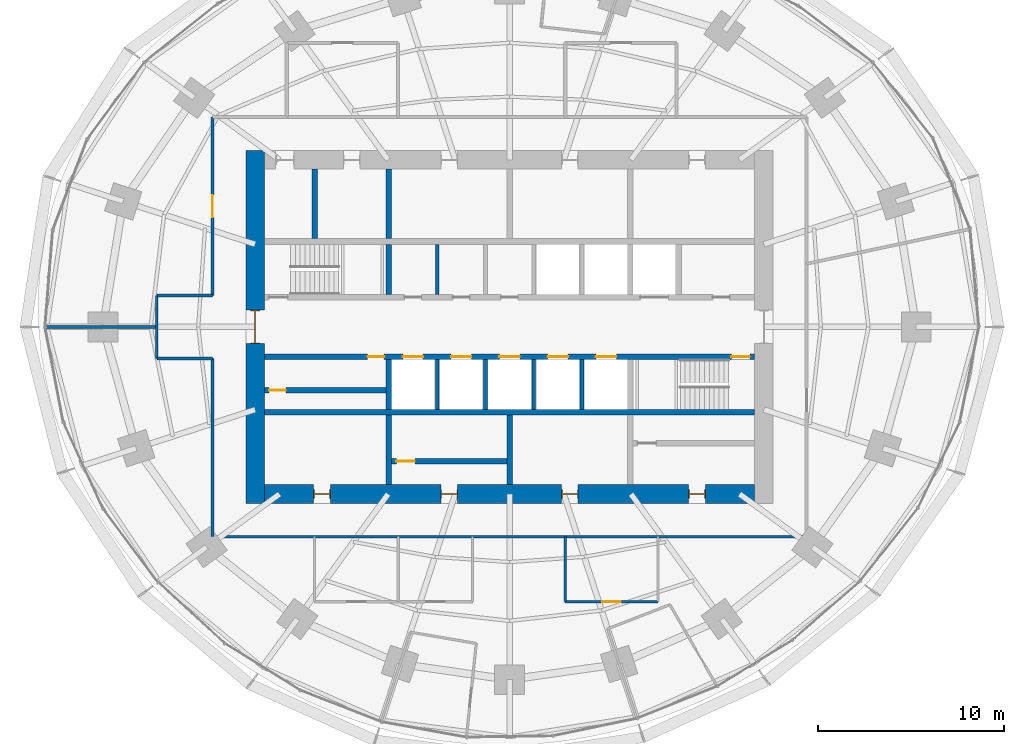
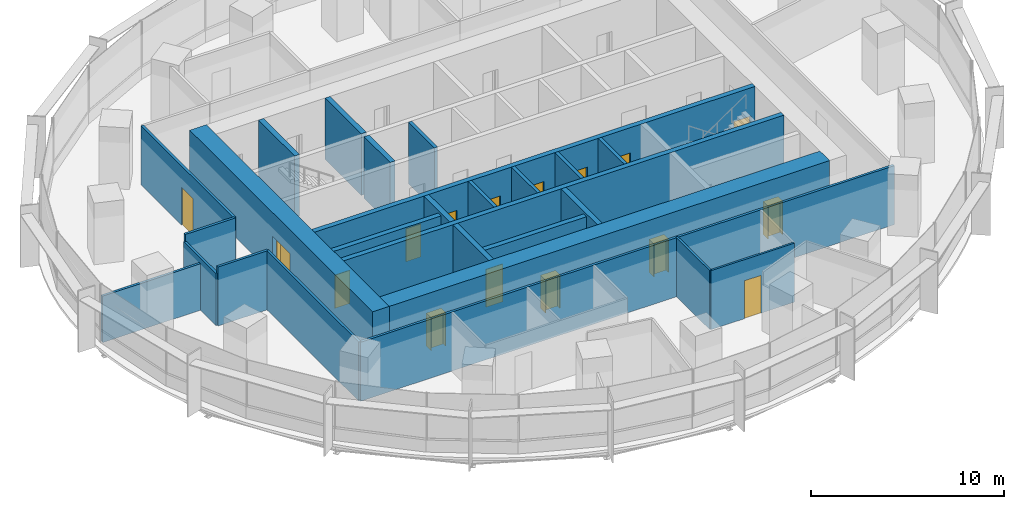
# One storey, part 10 of 14: 26 walls, 16 doors, 16 openings.
"""IFC4 building model written with IfcOpenShell, lengths in metres."""

from ifc_helpers import new_model, si_unit, direction, frame, frame_2d, origin, place, context, subcontext, project, spatial, rectangle, extrude, material, layer, layer_set, type_object, element, fill, save


model = new_model("IFC4")

# Units and contexts
model_context = context("Model", 3, precision=1e-05, world=origin(), true_north=direction((0.0, 1.0)))
body_context = subcontext(model_context, "Body", "Model", "MODEL_VIEW")
ifc_project = project(units=[si_unit("LENGTHUNIT", "METRE"), si_unit("AREAUNIT", "SQUARE_METRE"), si_unit("VOLUMEUNIT", "CUBIC_METRE"), si_unit("PLANEANGLEUNIT", "RADIAN"), si_unit("MASSUNIT", "GRAM", prefix="KILO")], contexts=[model_context])

# Site, building, storey
site_placement = place(None, origin())
site = spatial("IfcSite", under=ifc_project, at=site_placement, CompositionType="ELEMENT")
building_placement = place(site_placement, origin())
building = spatial("IfcBuilding", under=site, at=building_placement, Name="Marramba Exchange Tower", CompositionType="ELEMENT")
storey_placement = place(building_placement, frame((0.0, 0.0, 111.89990234375)))
storey = spatial("IfcBuildingStorey", under=building, at=storey_placement, Name="L26", CompositionType="ELEMENT", Elevation=111.89990234375)

# Walls
ifc_material_1 = material(Name="Concrete N50", Category="concrete")
ifc_layer_1 = layer(ifc_material_1, 0.199951171875)
ifc_layer_set_1 = layer_set([ifc_layer_1], Name="Core shaft wall 200")
wall_type_1 = type_object("IfcWallType", Name="Core shaft wall 200", PredefinedType="SHEAR", material=ifc_layer_set_1)
for number, where, z_axis, x_axis, name in (
    (1, (-3.89990234375, 1.75, 0.0), (0.0, 0.0, 1.0), (0.0, 1.0, 0.0), "Core wall SHN1 L26"),
    (2, (-3.89990234375, -1.75, 0.0), (0.0, 0.0, 1.0), (0.0, -1.0, 0.0), "Core wall SHS1 L26"),
    (3, (-1.300048828125, -1.75, 0.0), (0.0, 0.0, 1.0), (0.0, -1.0, 0.0), "Core wall SHS2 L26"),
    (4, (1.300048828125, -1.75, 0.0), (0.0, 0.0, 1.0), (0.0, -1.0, 0.0), "Core wall SHS3 L26"),
    (5, (3.89990234375, -1.75, 0.0), (0.0, 0.0, 1.0), (0.0, -1.0, 0.0), "Core wall SHS4 L26"),
):
    element("IfcWall", number, at=place(storey_placement, frame(where, z_axis=z_axis, x_axis=x_axis)), inside=storey, type_object=wall_type_1, Name=name, PredefinedType="SHEAR", context=body_context, shape_type="SweptSolid", body=[
        extrude(rectangle(XDim=2.699951171875, YDim=0.199951171875, at=frame_2d((1.35009765625, 0.0))), origin(), (0.0, 0.0, 1.0), 3.900146484375),
    ])

# Wall, openings, doors
ifc_layer_2 = layer(ifc_material_1, 1.0)
ifc_layer_set_2 = layer_set([ifc_layer_2], Name="Core wall 1000")
wall_type_2 = type_object("IfcWallType", Name="Core wall 1000", PredefinedType="SHEAR", material=ifc_layer_set_2)
wall_1_placement = place(storey_placement, frame((-13.199951171875, -9.0, 0.0), z_axis=(0.0, 0.0, 1.0), x_axis=(1.0, 0.0, 0.0)))
wall_1 = element("IfcWall", 6, at=wall_1_placement, inside=storey, type_object=wall_type_2, Name="Core wall S L26", PredefinedType="SHEAR", context=body_context, shape_type="SweptSolid", body=[
    extrude(rectangle(XDim=26.39990234375, YDim=1.0, at=frame_2d((13.199951171875, 0.0))), origin(), (0.0, 0.0, 1.0), 3.900146484375),
])
opening_1_placement = place(wall_1_placement, frame((2.64990234375, 0.0, 0.0)))
opening_1 = element("IfcOpeningElement", 7, at=opening_1_placement, cuts=wall_1, Name="Opening D5", PredefinedType="OPENING", context=body_context, shape_type="SweptSolid", body=[
    extrude(rectangle(XDim=0.89990234375, YDim=2.10009765625, at=frame_2d((0.449951171875, 1.050048828125))), frame((0.0, 0.510009765625, 0.0), z_axis=(0.0, -1.0, 0.0), x_axis=(1.0, 0.0, 0.0)), (0.0, 0.0, 1.0), 1.02001953125),
])
opening_2_placement = place(wall_1_placement, frame((9.5, 0.0, 0.0)))
opening_2 = element("IfcOpeningElement", 8, at=opening_2_placement, cuts=wall_1, Name="Opening D5", PredefinedType="OPENING", context=body_context, shape_type="SweptSolid", body=[
    extrude(rectangle(XDim=0.89990234375, YDim=2.10009765625, at=frame_2d((0.449951171875, 1.050048828125))), frame((0.0, 0.510009765625, 0.0), z_axis=(0.0, -1.0, 0.0), x_axis=(1.0, 0.0, 0.0)), (0.0, 0.0, 1.0), 1.02001953125),
])
opening_3_placement = place(wall_1_placement, frame((16.0, 0.0, 0.0)))
opening_3 = element("IfcOpeningElement", 9, at=opening_3_placement, cuts=wall_1, Name="Opening D5", PredefinedType="OPENING", context=body_context, shape_type="SweptSolid", body=[
    extrude(rectangle(XDim=0.89990234375, YDim=2.10009765625, at=frame_2d((0.449951171875, 1.050048828125))), frame((0.0, 0.510009765625, 0.0), z_axis=(0.0, -1.0, 0.0), x_axis=(1.0, 0.0, 0.0)), (0.0, 0.0, 1.0), 1.02001953125),
])
opening_4_placement = place(wall_1_placement, frame((22.85009765625, 0.0, 0.0)))
opening_4 = element("IfcOpeningElement", 10, at=opening_4_placement, cuts=wall_1, Name="Opening D5", PredefinedType="OPENING", context=body_context, shape_type="SweptSolid", body=[
    extrude(rectangle(XDim=0.89990234375, YDim=2.10009765625, at=frame_2d((0.449951171875, 1.050048828125))), frame((0.0, 0.510009765625, 0.0), z_axis=(0.0, -1.0, 0.0), x_axis=(1.0, 0.0, 0.0)), (0.0, 0.0, 1.0), 1.02001953125),
])
ifc_material_2 = material(Name="Steel-framed door", Category="steel")
door_type_1 = type_object("IfcDoorType", Name="Service door 900x2100", OperationType="SINGLE_SWING_LEFT", PredefinedType="DOOR", material=ifc_material_2)
door_1_placement = place(opening_1_placement, origin())
door_1 = element("IfcDoor", 11, at=door_1_placement, inside=storey, type_object=door_type_1, Name="D5 ahu L26", OperationType="SINGLE_SWING_LEFT", OverallHeight=2.10009765625, OverallWidth=0.89990234375, PredefinedType="DOOR", context=body_context, shape_type="SweptSolid", body=[
    extrude(rectangle(XDim=0.81982421875, YDim=2.06005859375, at=frame_2d((0.449951171875, 1.030029296875))), frame((0.0, 0.02490234375, 0.0), z_axis=(0.0, -1.0, 0.0), x_axis=(1.0, 0.0, 0.0)), (0.0, 0.0, 1.0), 0.050048828125),
    extrude(rectangle(XDim=0.04, YDim=2.10009765625, at=frame_2d((0.02001953125, 1.050048828125))), frame((0.0, 0.25, 0.0), z_axis=(0.0, -1.0, 0.0), x_axis=(1.0, 0.0, 0.0)), (0.0, 0.0, 1.0), 0.5),
    extrude(rectangle(XDim=0.04, YDim=2.10009765625, at=frame_2d((0.8798828125, 1.050048828125))), frame((0.0, 0.25, 0.0), z_axis=(0.0, -1.0, 0.0), x_axis=(1.0, 0.0, 0.0)), (0.0, 0.0, 1.0), 0.5),
    extrude(rectangle(XDim=0.81982421875, YDim=0.04, at=frame_2d((0.449951171875, 2.080078125))), frame((0.0, 0.25, 0.0), z_axis=(0.0, -1.0, 0.0), x_axis=(1.0, 0.0, 0.0)), (0.0, 0.0, 1.0), 0.5),
])
fill(opening_1, door_1)
door_2_placement = place(opening_2_placement, origin())
door_2 = element("IfcDoor", 12, at=door_2_placement, inside=storey, type_object=door_type_1, Name="D5 store L26", OperationType="SINGLE_SWING_RIGHT", OverallHeight=2.10009765625, OverallWidth=0.89990234375, PredefinedType="DOOR", context=body_context, shape_type="SweptSolid", body=[
    extrude(rectangle(XDim=0.81982421875, YDim=2.06005859375, at=frame_2d((0.449951171875, 1.030029296875))), frame((0.0, 0.02490234375, 0.0), z_axis=(0.0, -1.0, 0.0), x_axis=(1.0, 0.0, 0.0)), (0.0, 0.0, 1.0), 0.050048828125),
    extrude(rectangle(XDim=0.04, YDim=2.10009765625, at=frame_2d((0.02001953125, 1.050048828125))), frame((0.0, 0.25, 0.0), z_axis=(0.0, -1.0, 0.0), x_axis=(1.0, 0.0, 0.0)), (0.0, 0.0, 1.0), 0.5),
    extrude(rectangle(XDim=0.04, YDim=2.10009765625, at=frame_2d((0.8798828125, 1.050048828125))), frame((0.0, 0.25, 0.0), z_axis=(0.0, -1.0, 0.0), x_axis=(1.0, 0.0, 0.0)), (0.0, 0.0, 1.0), 0.5),
    extrude(rectangle(XDim=0.81982421875, YDim=0.04, at=frame_2d((0.449951171875, 2.080078125))), frame((0.0, 0.25, 0.0), z_axis=(0.0, -1.0, 0.0), x_axis=(1.0, 0.0, 0.0)), (0.0, 0.0, 1.0), 0.5),
])
fill(opening_2, door_2)
door_3_placement = place(opening_3_placement, origin())
door_3 = element("IfcDoor", 13, at=door_3_placement, inside=storey, type_object=door_type_1, Name="D5 switch L26", OperationType="SINGLE_SWING_RIGHT", OverallHeight=2.10009765625, OverallWidth=0.89990234375, PredefinedType="DOOR", context=body_context, shape_type="SweptSolid", body=[
    extrude(rectangle(XDim=0.81982421875, YDim=2.06005859375, at=frame_2d((0.449951171875, 1.030029296875))), frame((0.0, 0.02490234375, 0.0), z_axis=(0.0, -1.0, 0.0), x_axis=(1.0, 0.0, 0.0)), (0.0, 0.0, 1.0), 0.050048828125),
    extrude(rectangle(XDim=0.04, YDim=2.10009765625, at=frame_2d((0.02001953125, 1.050048828125))), frame((0.0, 0.25, 0.0), z_axis=(0.0, -1.0, 0.0), x_axis=(1.0, 0.0, 0.0)), (0.0, 0.0, 1.0), 0.5),
    extrude(rectangle(XDim=0.04, YDim=2.10009765625, at=frame_2d((0.8798828125, 1.050048828125))), frame((0.0, 0.25, 0.0), z_axis=(0.0, -1.0, 0.0), x_axis=(1.0, 0.0, 0.0)), (0.0, 0.0, 1.0), 0.5),
    extrude(rectangle(XDim=0.81982421875, YDim=0.04, at=frame_2d((0.449951171875, 2.080078125))), frame((0.0, 0.25, 0.0), z_axis=(0.0, -1.0, 0.0), x_axis=(1.0, 0.0, 0.0)), (0.0, 0.0, 1.0), 0.5),
])
fill(opening_3, door_3)
door_4_placement = place(opening_4_placement, origin())
door_4 = element("IfcDoor", 14, at=door_4_placement, inside=storey, type_object=door_type_1, Name="D5 cstore L26", OperationType="SINGLE_SWING_RIGHT", OverallHeight=2.10009765625, OverallWidth=0.89990234375, PredefinedType="DOOR", context=body_context, shape_type="SweptSolid", body=[
    extrude(rectangle(XDim=0.81982421875, YDim=2.06005859375, at=frame_2d((0.449951171875, 1.030029296875))), frame((0.0, 0.02490234375, 0.0), z_axis=(0.0, -1.0, 0.0), x_axis=(1.0, 0.0, 0.0)), (0.0, 0.0, 1.0), 0.050048828125),
    extrude(rectangle(XDim=0.04, YDim=2.10009765625, at=frame_2d((0.02001953125, 1.050048828125))), frame((0.0, 0.25, 0.0), z_axis=(0.0, -1.0, 0.0), x_axis=(1.0, 0.0, 0.0)), (0.0, 0.0, 1.0), 0.5),
    extrude(rectangle(XDim=0.04, YDim=2.10009765625, at=frame_2d((0.8798828125, 1.050048828125))), frame((0.0, 0.25, 0.0), z_axis=(0.0, -1.0, 0.0), x_axis=(1.0, 0.0, 0.0)), (0.0, 0.0, 1.0), 0.5),
    extrude(rectangle(XDim=0.81982421875, YDim=0.04, at=frame_2d((0.449951171875, 2.080078125))), frame((0.0, 0.25, 0.0), z_axis=(0.0, -1.0, 0.0), x_axis=(1.0, 0.0, 0.0)), (0.0, 0.0, 1.0), 0.5),
])
fill(opening_4, door_4)

# Wall, opening, door
wall_2_placement = place(storey_placement, frame((-13.699951171875, 9.5, 0.0), z_axis=(0.0, 0.0, 1.0), x_axis=(0.0, -1.0, 0.0)))
wall_2 = element("IfcWall", 15, at=wall_2_placement, inside=storey, type_object=wall_type_2, Name="Core wall W L26", PredefinedType="SHEAR", context=body_context, shape_type="SweptSolid", body=[
    extrude(rectangle(XDim=19.0, YDim=1.0, at=frame_2d((9.5, 0.0))), origin(), (0.0, 0.0, 1.0), 3.900146484375),
])
opening_5_placement = place(wall_2_placement, frame((8.60009765625, 0.0, 0.0)))
opening_5 = element("IfcOpeningElement", 16, at=opening_5_placement, cuts=wall_2, Name="Opening D1", PredefinedType="OPENING", context=body_context, shape_type="SweptSolid", body=[
    extrude(rectangle(XDim=1.800048828125, YDim=2.39990234375, at=frame_2d((0.89990234375, 1.199951171875))), frame((0.0, 0.510009765625, 0.0), z_axis=(0.0, -1.0, 0.0), x_axis=(1.0, 0.0, 0.0)), (0.0, 0.0, 1.0), 1.02001953125),
])
door_type_2 = type_object("IfcDoorType", Name="Lobby exit door 1800x2400", OperationType="DOUBLE_DOOR_SINGLE_SWING", PredefinedType="DOOR", material=ifc_material_2)
door_5_placement = place(opening_5_placement, origin())
door_5 = element("IfcDoor", 17, at=door_5_placement, inside=storey, type_object=door_type_2, Name="D1 lobby exit west L26", OperationType="DOUBLE_DOOR_SINGLE_SWING", OverallHeight=2.39990234375, OverallWidth=1.800048828125, PredefinedType="DOOR", context=body_context, shape_type="SweptSolid", body=[
    extrude(rectangle(XDim=1.719970703125, YDim=2.35986328125, at=frame_2d((0.89990234375, 1.179931640625))), frame((0.0, 0.02490234375, 0.0), z_axis=(0.0, -1.0, 0.0), x_axis=(1.0, 0.0, 0.0)), (0.0, 0.0, 1.0), 0.050048828125),
    extrude(rectangle(XDim=0.04, YDim=2.39990234375, at=frame_2d((0.02001953125, 1.199951171875))), frame((0.0, 0.25, 0.0), z_axis=(0.0, -1.0, 0.0), x_axis=(1.0, 0.0, 0.0)), (0.0, 0.0, 1.0), 0.5),
    extrude(rectangle(XDim=0.04, YDim=2.39990234375, at=frame_2d((1.780029296875, 1.199951171875))), frame((0.0, 0.25, 0.0), z_axis=(0.0, -1.0, 0.0), x_axis=(1.0, 0.0, 0.0)), (0.0, 0.0, 1.0), 0.5),
    extrude(rectangle(XDim=1.719970703125, YDim=0.04, at=frame_2d((0.89990234375, 2.3798828125))), frame((0.0, 0.25, 0.0), z_axis=(0.0, -1.0, 0.0), x_axis=(1.0, 0.0, 0.0)), (0.0, 0.0, 1.0), 0.5),
])
fill(opening_5, door_5)

# Wall, openings, doors
ifc_layer_3 = layer(ifc_material_1, 0.300048828125)
ifc_layer_set_3 = layer_set([ifc_layer_3], Name="Core wall 300")
wall_type_3 = type_object("IfcWallType", Name="Core wall 300", PredefinedType="SHEAR", material=ifc_layer_set_3)
wall_3_placement = place(storey_placement, frame((-13.199951171875, -1.60009765625, 0.0), z_axis=(0.0, 0.0, 1.0), x_axis=(1.0, 0.0, 0.0)))
wall_3 = element("IfcWall", 18, at=wall_3_placement, inside=storey, type_object=wall_type_3, Name="Core wall LS L26", PredefinedType="SHEAR", context=body_context, shape_type="SweptSolid", body=[
    extrude(rectangle(XDim=26.39990234375, YDim=0.300048828125, at=frame_2d((13.199951171875, 0.0))), origin(), (0.0, 0.0, 1.0), 3.900146484375),
])
opening_6_placement = place(wall_3_placement, frame((25.14990234375, 0.0, 0.0)))
opening_6 = element("IfcOpeningElement", 19, at=opening_6_placement, cuts=wall_3, Name="Opening D2", PredefinedType="OPENING", context=body_context, shape_type="SweptSolid", body=[
    extrude(rectangle(XDim=1.0, YDim=2.10009765625, at=frame_2d((0.5, 1.050048828125))), frame((0.0, 0.159912109375, 0.0), z_axis=(0.0, -1.0, 0.0), x_axis=(1.0, 0.0, 0.0)), (0.0, 0.0, 1.0), 0.320068359375),
])
opening_7_placement = place(wall_3_placement, frame((7.449951171875, 0.0, 0.0)))
opening_7 = element("IfcOpeningElement", 20, at=opening_7_placement, cuts=wall_3, Name="Opening LD1", PredefinedType="OPENING", context=body_context, shape_type="SweptSolid", body=[
    extrude(rectangle(XDim=1.10009765625, YDim=2.300048828125, at=frame_2d((0.550048828125, 1.14990234375))), frame((0.0, 0.159912109375, 0.0), z_axis=(0.0, -1.0, 0.0), x_axis=(1.0, 0.0, 0.0)), (0.0, 0.0, 1.0), 0.320068359375),
])
opening_8_placement = place(wall_3_placement, frame((10.050048828125, 0.0, 0.0)))
opening_8 = element("IfcOpeningElement", 21, at=opening_8_placement, cuts=wall_3, Name="Opening LD1", PredefinedType="OPENING", context=body_context, shape_type="SweptSolid", body=[
    extrude(rectangle(XDim=1.10009765625, YDim=2.300048828125, at=frame_2d((0.550048828125, 1.14990234375))), frame((0.0, 0.159912109375, 0.0), z_axis=(0.0, -1.0, 0.0), x_axis=(1.0, 0.0, 0.0)), (0.0, 0.0, 1.0), 0.320068359375),
])
opening_9_placement = place(wall_3_placement, frame((12.64990234375, 0.0, 0.0)))
opening_9 = element("IfcOpeningElement", 22, at=opening_9_placement, cuts=wall_3, Name="Opening LD1", PredefinedType="OPENING", context=body_context, shape_type="SweptSolid", body=[
    extrude(rectangle(XDim=1.10009765625, YDim=2.300048828125, at=frame_2d((0.550048828125, 1.14990234375))), frame((0.0, 0.159912109375, 0.0), z_axis=(0.0, -1.0, 0.0), x_axis=(1.0, 0.0, 0.0)), (0.0, 0.0, 1.0), 0.320068359375),
])
opening_10_placement = place(wall_3_placement, frame((15.25, 0.0, 0.0)))
opening_10 = element("IfcOpeningElement", 23, at=opening_10_placement, cuts=wall_3, Name="Opening LD2", PredefinedType="OPENING", context=body_context, shape_type="SweptSolid", body=[
    extrude(rectangle(XDim=1.10009765625, YDim=2.300048828125, at=frame_2d((0.550048828125, 1.14990234375))), frame((0.0, 0.159912109375, 0.0), z_axis=(0.0, -1.0, 0.0), x_axis=(1.0, 0.0, 0.0)), (0.0, 0.0, 1.0), 0.320068359375),
])
opening_11_placement = place(wall_3_placement, frame((17.85009765625, 0.0, 0.0)))
opening_11 = element("IfcOpeningElement", 24, at=opening_11_placement, cuts=wall_3, Name="Opening LD2", PredefinedType="OPENING", context=body_context, shape_type="SweptSolid", body=[
    extrude(rectangle(XDim=1.10009765625, YDim=2.300048828125, at=frame_2d((0.550048828125, 1.14990234375))), frame((0.0, 0.159912109375, 0.0), z_axis=(0.0, -1.0, 0.0), x_axis=(1.0, 0.0, 0.0)), (0.0, 0.0, 1.0), 0.320068359375),
])
opening_12_placement = place(wall_3_placement, frame((5.550048828125, 0.0, 0.0)))
opening_12 = element("IfcOpeningElement", 25, at=opening_12_placement, cuts=wall_3, Name="Opening D5", PredefinedType="OPENING", context=body_context, shape_type="SweptSolid", body=[
    extrude(rectangle(XDim=0.89990234375, YDim=2.10009765625, at=frame_2d((0.449951171875, 1.050048828125))), frame((0.0, 0.159912109375, 0.0), z_axis=(0.0, -1.0, 0.0), x_axis=(1.0, 0.0, 0.0)), (0.0, 0.0, 1.0), 0.320068359375),
])
door_type_3 = type_object("IfcDoorType", Name="Emergency lift landing door 1100x2300", OperationType="SLIDING_TO_LEFT", PredefinedType="DOOR", material=ifc_material_2)
door_6_placement = place(opening_10_placement, frame((1.10009765625, 0.0, 0.0), z_axis=(0.0, 0.0, 1.0), x_axis=(-1.0, 0.0, 0.0)))
door_6 = element("IfcDoor", 26, at=door_6_placement, inside=storey, type_object=door_type_3, Name="FL1 landing door L26", OperationType="SLIDING_TO_RIGHT", OverallHeight=2.300048828125, OverallWidth=1.10009765625, PredefinedType="DOOR", context=body_context, shape_type="SweptSolid", body=[
    extrude(rectangle(XDim=1.10009765625, YDim=2.300048828125, at=frame_2d((0.550048828125, 1.14990234375))), frame((0.0, 0.025146484375, 0.0), z_axis=(0.0, -1.0, 0.0), x_axis=(1.0, 0.0, 0.0)), (0.0, 0.0, 1.0), 0.050048828125),
])
fill(opening_10, door_6)
door_7_placement = place(opening_11_placement, frame((1.10009765625, 0.0, 0.0), z_axis=(0.0, 0.0, 1.0), x_axis=(-1.0, 0.0, 0.0)))
door_7 = element("IfcDoor", 27, at=door_7_placement, inside=storey, type_object=door_type_3, Name="FL2 landing door L26", OperationType="SLIDING_TO_LEFT", OverallHeight=2.300048828125, OverallWidth=1.10009765625, PredefinedType="DOOR", context=body_context, shape_type="SweptSolid", body=[
    extrude(rectangle(XDim=1.10009765625, YDim=2.300048828125, at=frame_2d((0.550048828125, 1.14990234375))), frame((0.0, 0.025146484375, 0.0), z_axis=(0.0, -1.0, 0.0), x_axis=(1.0, 0.0, 0.0)), (0.0, 0.0, 1.0), 0.050048828125),
])
fill(opening_11, door_7)
door_type_4 = type_object("IfcDoorType", Name="Lift landing door 1100x2300", OperationType="SLIDING_TO_LEFT", PredefinedType="DOOR", material=ifc_material_2)
door_8_placement = place(opening_7_placement, frame((1.10009765625, 0.0, 0.0), z_axis=(0.0, 0.0, 1.0), x_axis=(-1.0, 0.0, 0.0)))
door_8 = element("IfcDoor", 28, at=door_8_placement, inside=storey, type_object=door_type_4, Name="LB1 landing door L26", OperationType="SLIDING_TO_LEFT", OverallHeight=2.300048828125, OverallWidth=1.10009765625, PredefinedType="DOOR", context=body_context, shape_type="SweptSolid", body=[
    extrude(rectangle(XDim=1.10009765625, YDim=2.300048828125, at=frame_2d((0.550048828125, 1.14990234375))), frame((0.0, 0.025146484375, 0.0), z_axis=(0.0, -1.0, 0.0), x_axis=(1.0, 0.0, 0.0)), (0.0, 0.0, 1.0), 0.050048828125),
])
fill(opening_7, door_8)
door_9_placement = place(opening_8_placement, frame((1.10009765625, 0.0, 0.0), z_axis=(0.0, 0.0, 1.0), x_axis=(-1.0, 0.0, 0.0)))
door_9 = element("IfcDoor", 29, at=door_9_placement, inside=storey, type_object=door_type_4, Name="LB2 landing door L26", OperationType="SLIDING_TO_RIGHT", OverallHeight=2.300048828125, OverallWidth=1.10009765625, PredefinedType="DOOR", context=body_context, shape_type="SweptSolid", body=[
    extrude(rectangle(XDim=1.10009765625, YDim=2.300048828125, at=frame_2d((0.550048828125, 1.14990234375))), frame((0.0, 0.025146484375, 0.0), z_axis=(0.0, -1.0, 0.0), x_axis=(1.0, 0.0, 0.0)), (0.0, 0.0, 1.0), 0.050048828125),
])
fill(opening_8, door_9)
door_10_placement = place(opening_9_placement, frame((1.10009765625, 0.0, 0.0), z_axis=(0.0, 0.0, 1.0), x_axis=(-1.0, 0.0, 0.0)))
door_10 = element("IfcDoor", 30, at=door_10_placement, inside=storey, type_object=door_type_4, Name="LB3 landing door L26", OperationType="SLIDING_TO_RIGHT", OverallHeight=2.300048828125, OverallWidth=1.10009765625, PredefinedType="DOOR", context=body_context, shape_type="SweptSolid", body=[
    extrude(rectangle(XDim=1.10009765625, YDim=2.300048828125, at=frame_2d((0.550048828125, 1.14990234375))), frame((0.0, 0.025146484375, 0.0), z_axis=(0.0, -1.0, 0.0), x_axis=(1.0, 0.0, 0.0)), (0.0, 0.0, 1.0), 0.050048828125),
])
fill(opening_9, door_10)
door_11_placement = place(opening_12_placement, frame((0.89990234375, 0.0, 0.0), z_axis=(0.0, 0.0, 1.0), x_axis=(-1.0, 0.0, 0.0)))
door_11 = element("IfcDoor", 31, at=door_11_placement, inside=storey, type_object=door_type_1, Name="D5 electrical riser L26", OperationType="SINGLE_SWING_LEFT", OverallHeight=2.10009765625, OverallWidth=0.89990234375, PredefinedType="DOOR", context=body_context, shape_type="SweptSolid", body=[
    extrude(rectangle(XDim=0.89990234375, YDim=2.10009765625, at=frame_2d((0.449951171875, 1.050048828125))), frame((0.0, 0.025146484375, 0.0), z_axis=(0.0, -1.0, 0.0), x_axis=(1.0, 0.0, 0.0)), (0.0, 0.0, 1.0), 0.050048828125),
])
fill(opening_12, door_11)
door_type_5 = type_object("IfcDoorType", Name="Stair door 1000x2100", OperationType="SINGLE_SWING_LEFT", PredefinedType="DOOR", material=ifc_material_2)
door_12_placement = place(opening_6_placement, frame((1.0, 0.0, 0.0), z_axis=(0.0, 0.0, 1.0), x_axis=(-1.0, 0.0, 0.0)))
door_12 = element("IfcDoor", 32, at=door_12_placement, inside=storey, type_object=door_type_5, Name="D2 stair ST2 L26", OperationType="SINGLE_SWING_LEFT", OverallHeight=2.10009765625, OverallWidth=1.0, PredefinedType="DOOR", context=body_context, shape_type="SweptSolid", body=[
    extrude(rectangle(XDim=1.0, YDim=2.10009765625, at=frame_2d((0.5, 1.050048828125))), frame((0.0, 0.025146484375, 0.0), z_axis=(0.0, -1.0, 0.0), x_axis=(1.0, 0.0, 0.0)), (0.0, 0.0, 1.0), 0.050048828125),
])
fill(opening_6, door_12)

# Walls
wall_4_placement = place(storey_placement, frame((-13.199951171875, -4.60009765625, 0.0), z_axis=(0.0, 0.0, 1.0), x_axis=(1.0, 0.0, 0.0)))
element("IfcWall", 33, at=wall_4_placement, inside=storey, type_object=wall_type_3, Name="Core wall BS L26", PredefinedType="SHEAR", context=body_context, shape_type="SweptSolid", body=[
    extrude(rectangle(XDim=26.39990234375, YDim=0.300048828125, at=frame_2d((13.199951171875, 0.0))), origin(), (0.0, 0.0, 1.0), 3.900146484375),
])
wall_5_placement = place(storey_placement, frame((-6.5, 1.75, 0.0), z_axis=(0.0, 0.0, 1.0), x_axis=(0.0, 1.0, 0.0)))
element("IfcWall", 34, at=wall_5_placement, inside=storey, type_object=wall_type_3, Name="Core wall X0Na L26", PredefinedType="SHEAR", context=body_context, shape_type="SweptSolid", body=[
    extrude(rectangle(XDim=2.699951171875, YDim=0.300048828125, at=frame_2d((1.35009765625, 0.0))), origin(), (0.0, 0.0, 1.0), 3.900146484375),
])
wall_6_placement = place(storey_placement, frame((-6.5, 4.75, 0.0), z_axis=(0.0, 0.0, 1.0), x_axis=(0.0, 1.0, 0.0)))
element("IfcWall", 35, at=wall_6_placement, inside=storey, type_object=wall_type_3, Name="Core wall X0Nb L26", PredefinedType="SHEAR", context=body_context, shape_type="SweptSolid", body=[
    extrude(rectangle(XDim=3.75, YDim=0.300048828125, at=frame_2d((1.875, 0.0))), origin(), (0.0, 0.0, 1.0), 3.900146484375),
])
wall_7_placement = place(storey_placement, frame((-6.5, -1.75, 0.0), z_axis=(0.0, 0.0, 1.0), x_axis=(0.0, -1.0, 0.0)))
element("IfcWall", 36, at=wall_7_placement, inside=storey, type_object=wall_type_3, Name="Core wall X0Sa L26", PredefinedType="SHEAR", context=body_context, shape_type="SweptSolid", body=[
    extrude(rectangle(XDim=2.699951171875, YDim=0.300048828125, at=frame_2d((1.35009765625, 0.0))), origin(), (0.0, 0.0, 1.0), 3.900146484375),
])
for number, where, z_axis, x_axis, name in (
    (37, (-6.5, -4.75, 0.0), (0.0, 0.0, 1.0), (0.0, -1.0, 0.0), "Core wall X0Sb L26"),
    (38, (0.0, -4.75, 0.0), (0.0, 0.0, 1.0), (0.0, -1.0, 0.0), "Core wall MS L26"),
    (39, (-10.5, 4.75, 0.0), (0.0, 0.0, 1.0), (0.0, 1.0, 0.0), "Core wall WD L26"),
):
    element("IfcWall", number, at=place(storey_placement, frame(where, z_axis=z_axis, x_axis=x_axis)), inside=storey, type_object=wall_type_3, Name=name, PredefinedType="SHEAR", context=body_context, shape_type="SweptSolid", body=[
        extrude(rectangle(XDim=3.75, YDim=0.300048828125, at=frame_2d((1.875, 0.0))), origin(), (0.0, 0.0, 1.0), 3.900146484375),
    ])
ifc_material_3 = material(Name="Plasterboard on steel studs", Category="steel")
ifc_layer_4 = layer(ifc_material_3, 0.1201171875)
ifc_layer_set_4 = layer_set([ifc_layer_4], Name="Partition 120")
wall_type_4 = type_object("IfcWallType", Name="Partition 120", PredefinedType="PARTITIONING", material=ifc_layer_set_4)
wall_8_placement = place(storey_placement, frame((3.0, -11.300048828125, 0.0), z_axis=(0.0, 0.0, 1.0), x_axis=(0.0, -1.0, 0.0)))
element("IfcWall", 40, at=wall_8_placement, inside=storey, type_object=wall_type_4, Name="Partition L26 11", PredefinedType="PARTITIONING", context=body_context, shape_type="SweptSolid", body=[
    extrude(rectangle(XDim=3.5, YDim=0.1201171875, at=frame_2d((1.75, 0.0))), origin(), (0.0, 0.0, 1.0), 3.739990234375),
])

# Wall, opening, door
wall_9_placement = place(storey_placement, frame((3.0, -14.800048828125, 0.0), z_axis=(0.0, 0.0, 1.0), x_axis=(1.0, 0.0, 0.0)))
wall_9 = element("IfcWall", 41, at=wall_9_placement, inside=storey, type_object=wall_type_4, Name="Partition L26 13", PredefinedType="PARTITIONING", context=body_context, shape_type="SweptSolid", body=[
    extrude(rectangle(XDim=5.0, YDim=0.1201171875, at=frame_2d((2.5, 0.0))), origin(), (0.0, 0.0, 1.0), 3.739990234375),
])
opening_13_placement = place(wall_9_placement, frame((2.0, 0.0, 0.0)))
opening_13 = element("IfcOpeningElement", 42, at=opening_13_placement, cuts=wall_9, Name="Opening D9", PredefinedType="OPENING", context=body_context, shape_type="SweptSolid", body=[
    extrude(rectangle(XDim=1.0, YDim=2.39990234375, at=frame_2d((0.5, 1.199951171875))), frame((0.0, 0.070068359375, 0.0), z_axis=(0.0, -1.0, 0.0), x_axis=(1.0, 0.0, 0.0)), (0.0, 0.0, 1.0), 0.14013671875),
])
ifc_material_4 = material(Name="Timber door", Category="wood")
door_type_6 = type_object("IfcDoorType", Name="Room door 1000x2400", OperationType="SINGLE_SWING_LEFT", PredefinedType="DOOR", material=ifc_material_4)
door_13_placement = place(opening_13_placement, origin())
door_13 = element("IfcDoor", 43, at=door_13_placement, inside=storey, type_object=door_type_6, Name="D9 Pantry 1 L26", OperationType="SINGLE_SWING_RIGHT", OverallHeight=2.39990234375, OverallWidth=1.0, PredefinedType="DOOR", context=body_context, shape_type="SweptSolid", body=[
    extrude(rectangle(XDim=1.0, YDim=2.39990234375, at=frame_2d((0.5, 1.199951171875))), frame((0.0, 0.02490234375, 0.0), z_axis=(0.0, -1.0, 0.0), x_axis=(1.0, 0.0, 0.0)), (0.0, 0.0, 1.0), 0.050048828125),
])
fill(opening_13, door_13)

ifc_material_5 = material(Name="Core-filled concrete blockwork", Category="masonry")
ifc_layer_5 = layer(ifc_material_5, 0.300048828125)
ifc_layer_set_5 = layer_set([ifc_layer_5], Name="Riser enclosure wall 300")
wall_type_5 = type_object("IfcWallType", Name="Riser enclosure wall 300", PredefinedType="SOLIDWALL", material=ifc_layer_set_5)
wall_10_placement = place(storey_placement, frame((-13.199951171875, -3.39990234375, 0.0), z_axis=(0.0, 0.0, 1.0), x_axis=(1.0, 0.0, 0.0)))
wall_10 = element("IfcWall", 44, at=wall_10_placement, inside=storey, type_object=wall_type_5, Name="Riser enclosure wall L26", PredefinedType="SOLIDWALL", context=body_context, shape_type="SweptSolid", body=[
    extrude(rectangle(XDim=6.550048828125, YDim=0.300048828125, at=frame_2d((3.27490234375, 0.0))), origin(), (0.0, 0.0, 1.0), 3.739990234375),
])
opening_14_placement = place(wall_10_placement, frame((0.25, 0.0, 0.0)))
opening_14 = element("IfcOpeningElement", 45, at=opening_14_placement, cuts=wall_10, Name="Opening D5", PredefinedType="OPENING", context=body_context, shape_type="SweptSolid", body=[
    extrude(rectangle(XDim=0.89990234375, YDim=2.10009765625, at=frame_2d((0.449951171875, 1.050048828125))), frame((0.0, 0.159912109375, 0.0), z_axis=(0.0, -1.0, 0.0), x_axis=(1.0, 0.0, 0.0)), (0.0, 0.0, 1.0), 0.320068359375),
])
door_14_placement = place(opening_14_placement, frame((0.89990234375, 0.0, 0.0), z_axis=(0.0, 0.0, 1.0), x_axis=(-1.0, 0.0, 0.0)))
door_14 = element("IfcDoor", 46, at=door_14_placement, inside=storey, type_object=door_type_1, Name="D5 electrical riser back L26", OperationType="SINGLE_SWING_RIGHT", OverallHeight=2.10009765625, OverallWidth=0.89990234375, PredefinedType="DOOR", context=body_context, shape_type="SweptSolid", body=[
    extrude(rectangle(XDim=0.89990234375, YDim=2.10009765625, at=frame_2d((0.449951171875, 1.050048828125))), frame((0.0, 0.025146484375, 0.0), z_axis=(0.0, -1.0, 0.0), x_axis=(1.0, 0.0, 0.0)), (0.0, 0.0, 1.0), 0.050048828125),
])
fill(opening_14, door_14)

ifc_material_6 = material(Name="Plasterboard on steel studs, insulated, unrated", Category="steel")
ifc_layer_6 = layer(ifc_material_6, 0.300048828125)
ifc_layer_set_6 = layer_set([ifc_layer_6], Name="Store partition 300")
wall_type_6 = type_object("IfcWallType", Name="Store partition 300", PredefinedType="PARTITIONING", material=ifc_layer_set_6)
wall_11_placement = place(storey_placement, frame((-6.35009765625, -7.239990234375, 0.0), z_axis=(0.0, 0.0, 1.0), x_axis=(1.0, 0.0, 0.0)))
wall_11 = element("IfcWall", 47, at=wall_11_placement, inside=storey, type_object=wall_type_6, Name="Store partition L26 store", PredefinedType="PARTITIONING", context=body_context, shape_type="SweptSolid", body=[
    extrude(rectangle(XDim=6.2001953125, YDim=0.300048828125, at=frame_2d((3.10009765625, 0.0))), origin(), (0.0, 0.0, 1.0), 3.739990234375),
])
opening_15_placement = place(wall_11_placement, frame((0.25, 0.0, 0.0)))
opening_15 = element("IfcOpeningElement", 48, at=opening_15_placement, cuts=wall_11, Name="Opening D9", PredefinedType="OPENING", context=body_context, shape_type="SweptSolid", body=[
    extrude(rectangle(XDim=1.0, YDim=2.39990234375, at=frame_2d((0.5, 1.199951171875))), frame((0.0, 0.159912109375, 0.0), z_axis=(0.0, -1.0, 0.0), x_axis=(1.0, 0.0, 0.0)), (0.0, 0.0, 1.0), 0.320068359375),
])
door_15_placement = place(opening_15_placement, frame((1.0, 0.0, 0.0), z_axis=(0.0, 0.0, 1.0), x_axis=(-1.0, 0.0, 0.0)))
door_15 = element("IfcDoor", 49, at=door_15_placement, inside=storey, type_object=door_type_6, Name="D9 stationery store L26", OperationType="SINGLE_SWING_RIGHT", OverallHeight=2.39990234375, OverallWidth=1.0, PredefinedType="DOOR", context=body_context, shape_type="SweptSolid", body=[
    extrude(rectangle(XDim=1.0, YDim=2.39990234375, at=frame_2d((0.5, 1.199951171875))), frame((0.0, 0.025146484375, 0.0), z_axis=(0.0, -1.0, 0.0), x_axis=(1.0, 0.0, 0.0)), (0.0, 0.0, 1.0), 0.050048828125),
])
fill(opening_15, door_15)

# Walls
ifc_material_7 = material(Name="Fire-rated plasterboard on steel studs, acoustic insulation", Category="steel")
ifc_layer_7 = layer(ifc_material_7, 0.14990234375)
ifc_layer_set_7 = layer_set([ifc_layer_7], Name="Tenancy wall 150")
wall_type_7 = type_object("IfcWallType", Name="Tenancy wall 150", PredefinedType="PARTITIONING", material=ifc_layer_set_7)
wall_12_placement = place(storey_placement, frame((-19.0, -1.699951171875, 0.0), z_axis=(0.0, 0.0, 1.0), x_axis=(1.0, 0.0, 0.0)))
element("IfcWall", 50, at=wall_12_placement, inside=storey, type_object=wall_type_7, Name="Tenancy wall L26 01", PredefinedType="PARTITIONING", context=body_context, shape_type="SweptSolid", body=[
    extrude(rectangle(XDim=3.0, YDim=0.14990234375, at=frame_2d((1.5, 0.0))), origin(), (0.0, 0.0, 1.0), 3.739990234375),
])
wall_13_placement = place(storey_placement, frame((-16.0, -1.699951171875, 0.0), z_axis=(0.0, 0.0, 1.0), x_axis=(0.0, -1.0, 0.0)))
element("IfcWall", 51, at=wall_13_placement, inside=storey, type_object=wall_type_7, Name="Tenancy wall L26 02", PredefinedType="PARTITIONING", context=body_context, shape_type="SweptSolid", body=[
    extrude(rectangle(XDim=9.60009765625, YDim=0.14990234375, at=frame_2d((4.800048828125, 0.0))), origin(), (0.0, 0.0, 1.0), 3.739990234375),
])
wall_14_placement = place(storey_placement, frame((-16.0, -11.300048828125, 0.0), z_axis=(0.0, 0.0, 1.0), x_axis=(1.0, 0.0, 0.0)))
element("IfcWall", 52, at=wall_14_placement, inside=storey, type_object=wall_type_7, Name="Tenancy wall L26 10", PredefinedType="PARTITIONING", context=body_context, shape_type="SweptSolid", body=[
    extrude(rectangle(XDim=32.0, YDim=0.14990234375, at=frame_2d((16.0, 0.0))), origin(), (0.0, 0.0, 1.0), 3.739990234375),
])

# Wall, opening, door
wall_15_placement = place(storey_placement, frame((-16.0, 11.300048828125, 0.0), z_axis=(0.0, 0.0, 1.0), x_axis=(0.0, -1.0, 0.0)))
wall_15 = element("IfcWall", 53, at=wall_15_placement, inside=storey, type_object=wall_type_7, Name="Tenancy wall L26 33", PredefinedType="PARTITIONING", context=body_context, shape_type="SweptSolid", body=[
    extrude(rectangle(XDim=9.60009765625, YDim=0.14990234375, at=frame_2d((4.800048828125, 0.0))), origin(), (0.0, 0.0, 1.0), 3.739990234375),
])
opening_16_placement = place(wall_15_placement, frame((4.199951171875, 0.0, 0.0)))
opening_16 = element("IfcOpeningElement", 54, at=opening_16_placement, cuts=wall_15, Name="Opening D13", PredefinedType="OPENING", context=body_context, shape_type="SweptSolid", body=[
    extrude(rectangle(XDim=1.199951171875, YDim=2.39990234375, at=frame_2d((0.60009765625, 1.199951171875))), frame((0.0, 0.0849609375, 0.0), z_axis=(0.0, -1.0, 0.0), x_axis=(1.0, 0.0, 0.0)), (0.0, 0.0, 1.0), 0.169921875),
])
door_type_7 = type_object("IfcDoorType", Name="Tenancy entry door 1200x2400", OperationType="SINGLE_SWING_LEFT", PredefinedType="DOOR", material=ifc_material_2)
door_16_placement = place(opening_16_placement, origin())
door_16 = element("IfcDoor", 55, at=door_16_placement, inside=storey, type_object=door_type_7, Name="D13 Office 2 L26", OperationType="SINGLE_SWING_LEFT", OverallHeight=2.39990234375, OverallWidth=1.199951171875, PredefinedType="DOOR", context=body_context, shape_type="SweptSolid", body=[
    extrude(rectangle(XDim=1.199951171875, YDim=2.39990234375, at=frame_2d((0.60009765625, 1.199951171875))), frame((0.0, 0.02490234375, 0.0), z_axis=(0.0, -1.0, 0.0), x_axis=(1.0, 0.0, 0.0)), (0.0, 0.0, 1.0), 0.050048828125),
])
fill(opening_16, door_16)

# Walls
wall_16_placement = place(storey_placement, frame((-16.0, 1.699951171875, 0.0), z_axis=(0.0, 0.0, 1.0), x_axis=(-1.0, 0.0, 0.0)))
element("IfcWall", 56, at=wall_16_placement, inside=storey, type_object=wall_type_7, Name="Tenancy wall L26 34", PredefinedType="PARTITIONING", context=body_context, shape_type="SweptSolid", body=[
    extrude(rectangle(XDim=3.0, YDim=0.14990234375, at=frame_2d((1.5, 0.0))), origin(), (0.0, 0.0, 1.0), 3.739990234375),
])
wall_17_placement = place(storey_placement, frame((-24.93798828125, 0.0, 0.0), z_axis=(0.0, 0.0, 1.0), x_axis=(1.0, 0.0, 0.0)))
element("IfcWall", 57, at=wall_17_placement, inside=storey, type_object=wall_type_7, Name="Tenancy wall L26 35", PredefinedType="PARTITIONING", context=body_context, shape_type="SweptSolid", body=[
    extrude(rectangle(XDim=5.93798828125, YDim=0.14990234375, at=frame_2d((2.968994140625, 0.0))), origin(), (0.0, 0.0, 1.0), 2.940185546875),
])
wall_18_placement = place(storey_placement, frame((-19.0, 1.699951171875, 0.0), z_axis=(0.0, 0.0, 1.0), x_axis=(0.0, -1.0, 0.0)))
element("IfcWall", 58, at=wall_18_placement, inside=storey, type_object=wall_type_7, Name="Tenancy wall L26 36", PredefinedType="PARTITIONING", context=body_context, shape_type="SweptSolid", body=[
    extrude(rectangle(XDim=3.39990234375, YDim=0.14990234375, at=frame_2d((1.699951171875, 0.0))), origin(), (0.0, 0.0, 1.0), 3.2861328125),
])

save(model, "model.ifc")
